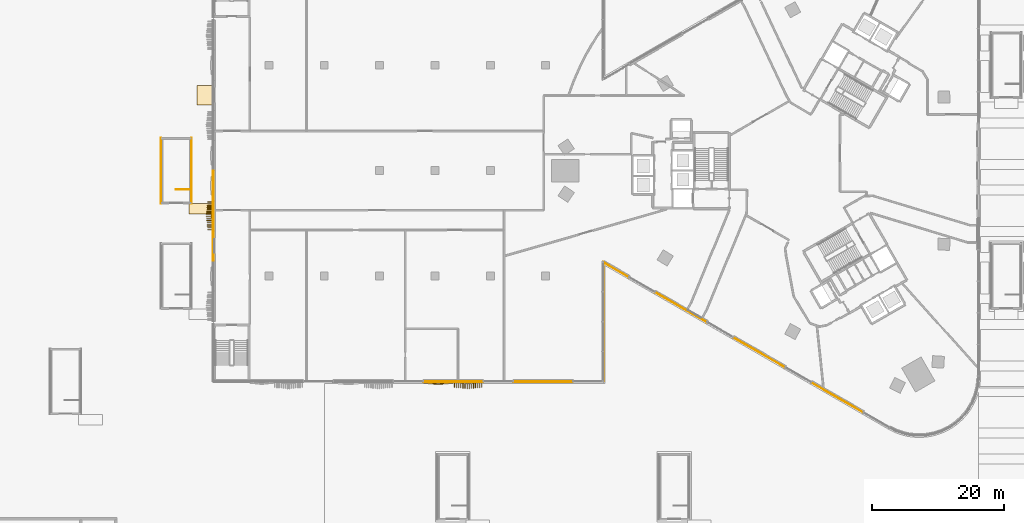
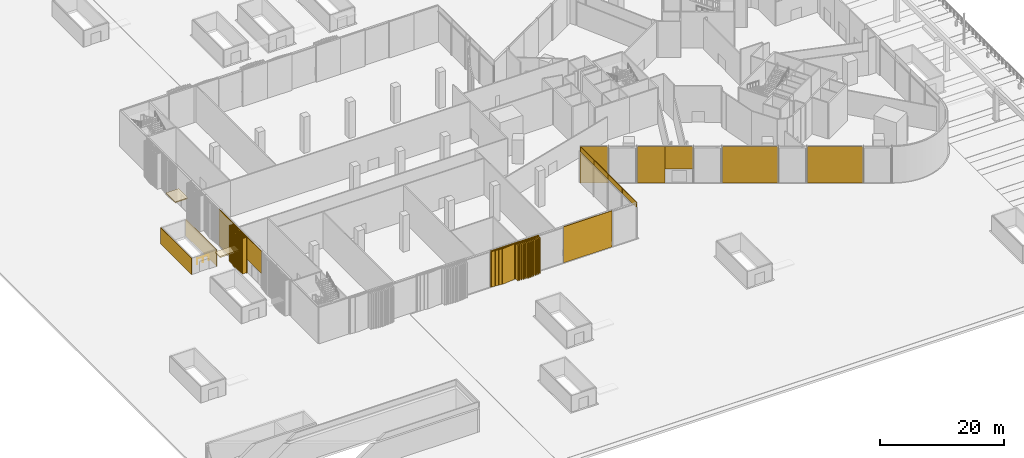
# One storey, part 32 of 41: 20 coverings, 1 railing.
"""IFC4 building model written with IfcOpenShell, lengths in metres."""

from ifc_helpers import new_model, si_unit, direction, frame, frame_2d, origin, origin_2d, place, context, subcontext, project, spatial, polyline, rectangle, circle, outline, extrude, source, transform, mapped, material, layer, layer_set, type_object, element, save


model = new_model("IFC4")

# Units and contexts
model_context = context("Model", 3, precision=1e-05, world=origin(), true_north=direction((0.0, 1.0)))
body_context = subcontext(model_context, "Body", "Model", "MODEL_VIEW")
ifc_project = project(units=[si_unit("LENGTHUNIT", "METRE"), si_unit("AREAUNIT", "SQUARE_METRE"), si_unit("VOLUMEUNIT", "CUBIC_METRE"), si_unit("PLANEANGLEUNIT", "RADIAN"), si_unit("MASSUNIT", "GRAM", prefix="KILO")], contexts=[model_context])

# Site, building, storey
site_placement = place(None, origin())
site = spatial("IfcSite", under=ifc_project, at=site_placement, CompositionType="ELEMENT")
building_placement = place(site_placement, origin())
building = spatial("IfcBuilding", under=site, at=building_placement, Name="Tamra Quay Hotel Tower", CompositionType="ELEMENT")
storey_placement = place(building_placement, origin())
storey = spatial("IfcBuildingStorey", under=building, at=storey_placement, Name="L00", CompositionType="ELEMENT", Elevation=0.0)

# Railing
ifc_material_1 = material(Name="Basement stair guard 1100")
railing_type = type_object("IfcRailingType", Name="Basement stair guard 1100", PredefinedType="GUARDRAIL", material=ifc_material_1)
railing_placement = place(storey_placement, frame((-92.699951171875, -2.85009765625, 0.0)))
element("IfcRailing", 1, at=railing_placement, inside=storey, type_object=railing_type, Name="BSG", PredefinedType="GUARDRAIL", context=body_context, shape_type="SweptSolid", body=[
    extrude(circle(Radius=0.02392578125, at=origin_2d()), frame((0.0, 0.0, 1.076171875), z_axis=(-1.0, 0.0, 0.0), x_axis=(0.0, -1.0, 0.0)), (0.0, 0.0, 1.0), 2.150146484375),
    extrude(circle(Radius=0.02099609375, at=origin_2d()), origin(), (0.0, 0.0, 1.0), 1.052001953125),
    extrude(circle(Radius=0.02099609375, at=origin_2d()), frame((-1.0751953125, 0.0, 0.0)), (0.0, 0.0, 1.0), 1.052001953125),
    extrude(circle(Radius=0.02099609375, at=origin_2d()), frame((-2.150146484375, 0.0, 0.0)), (0.0, 0.0, 1.0), 1.052001953125),
])

# Coverings
ifc_material_2 = material(Name="Galvanised steel and glass canopy", Category="steel")
ifc_layer_1 = layer(ifc_material_2, 0.199951171875)
ifc_layer_set_1 = layer_set([ifc_layer_1], Name="COURT CANOPY SHEET 200")
covering_type_1 = type_object("IfcCoveringType", Name="COURT CANOPY SHEET 200", PredefinedType="ROOFING", material=ifc_layer_set_1)
covering_1_placement = place(storey_placement, frame((-90.39990234375, 11.428466796875, 3.10009765625), z_axis=(0.0, 0.0, 1.0), x_axis=(0.0, -1.0, 0.0)))
element("IfcCovering", 2, at=covering_1_placement, inside=storey, type_object=covering_type_1, Name="West court canopy", PredefinedType="ROOFING", context=body_context, shape_type="SweptSolid", body=[
    extrude(rectangle(XDim=3.0, YDim=2.39990234375, at=origin_2d()), origin(), (0.0, 0.0, 1.0), 0.199951171875),
])
ifc_material_3 = material(Name="Reinforced concrete M60 with waterproofing membrane", Category="concrete")
ifc_layer_2 = layer(ifc_material_3, 0.25)
ifc_layer_set_2 = layer_set([ifc_layer_2], Name="PAVILION CANOPY SHEET 250")
covering_type_2 = type_object("IfcCoveringType", Name="PAVILION CANOPY SHEET 250", PredefinedType="ROOFING", material=ifc_layer_set_2)
covering_2_placement = place(storey_placement, frame((0.0, 0.0, 2.75)))
element("IfcCovering", 3, at=covering_2_placement, inside=storey, type_object=covering_type_2, Name="Stair pavilion BS4 door canopy", PredefinedType="ROOFING", context=body_context, shape_type="SweptSolid", body=[
    extrude(outline(polyline([(-92.800048828125, -5.0), (-89.199951171875, -5.0), (-89.199951171875, -6.60009765625), (-92.800048828125, -6.60009765625), (-92.800048828125, -5.0)])), origin(), (0.0, 0.0, 1.0), 0.25),
])
ifc_material_4 = material(Name="Precast concrete M60 terracotta-coloured pierced relief", Category="masonry")
ifc_layer_3 = layer(ifc_material_4, 0.10009765625)
ifc_layer_set_3 = layer_set([ifc_layer_3], Name="PIERCED RELIEF PANEL 100")
covering_type_3 = type_object("IfcCoveringType", Name="PIERCED RELIEF PANEL 100", PredefinedType="CLADDING", material=ifc_layer_set_3)
for number, where, z_axis, x_axis, name in (
    (4, (-29.949951171875, -29.73193359375, 6.10009765625), (0.0, 0.0, 1.0), (0.0, 1.0, 0.0), "Relief panel L00.E.00"),
    (5, (-29.949951171875, -25.196044921875, 6.10009765625), (0.0, 0.0, 1.0), (0.0, 1.0, 0.0), "Relief panel L00.E.01"),
    (6, (-29.949951171875, -20.66015625, 6.10009765625), (0.0, 0.0, 1.0), (0.0, 1.0, 0.0), "Relief panel L00.E.02"),
    (7, (-29.949951171875, -16.124267578125, 6.10009765625), (0.0, 0.0, 1.0), (0.0, 1.0, 0.0), "Relief panel L00.E.03"),
):
    element("IfcCovering", number, at=place(storey_placement, frame(where, z_axis=z_axis, x_axis=x_axis)), inside=storey, type_object=covering_type_3, Name=name, PredefinedType="CLADDING", context=body_context, shape_type="SweptSolid", body=[
        extrude(rectangle(XDim=4.515869140625, YDim=0.10009765625, at=origin_2d()), origin(), (0.0, 0.0, 1.0), 1.0),
    ])
for number, where, z_axis, x_axis, name in (
    (8, (-28.047607421875, -15.041259765625, 0.0), (0.0, 0.0, 1.0), (0.866025403784, -0.5, 0.0), "Relief panel L00.SW.00"),
    (9, (-20.138671875, -19.607666015625, 0.0), (0.0, 0.0, 1.0), (0.866025403784, -0.5, 0.0), "Relief panel L00.SW.02"),
):
    element("IfcCovering", number, at=place(storey_placement, frame(where, z_axis=z_axis, x_axis=x_axis)), inside=storey, type_object=covering_type_3, Name=name, PredefinedType="CLADDING", context=body_context, shape_type="SweptSolid", body=[
        extrude(rectangle(XDim=4.54638671875, YDim=0.10009765625, at=origin_2d()), origin(), (0.0, 0.0, 1.0), 7.10009765625),
    ])
covering_3_placement = place(storey_placement, frame((-16.18408203125, -21.890869140625, 2.699951171875), z_axis=(0.0, 0.0, 1.0), x_axis=(0.866025403784, -0.5, 0.0)))
element("IfcCovering", 10, at=covering_3_placement, inside=storey, type_object=covering_type_3, Name="Relief panel L00.SW.03", PredefinedType="CLADDING", context=body_context, shape_type="SweptSolid", body=[
    extrude(rectangle(XDim=4.54638671875, YDim=0.10009765625, at=origin_2d()), origin(), (0.0, 0.0, 1.0), 4.39990234375),
])
for number, where, z_axis, x_axis, name in (
    (11, (-6.297607421875, -27.5986328125, 0.0), (0.0, 0.0, 1.0), (0.866025403784, -0.5, 0.0), "Relief panel L00.SW.05"),
    (12, (5.56591796875, -34.4482421875, 0.0), (0.0, 0.0, 1.0), (0.866025403784, -0.5, 0.0), "Relief panel L00.SW.08"),
):
    element("IfcCovering", number, at=place(storey_placement, frame(where, z_axis=z_axis, x_axis=x_axis)), inside=storey, type_object=covering_type_3, Name=name, PredefinedType="CLADDING", context=body_context, shape_type="SweptSolid", body=[
        extrude(rectangle(XDim=9.112548828125, YDim=0.10009765625, at=origin_2d()), origin(), (0.0, 0.0, 1.0), 7.10009765625),
    ])
covering_4_placement = place(storey_placement, frame((-89.14990234375, -4.571533203125, 0.0), z_axis=(0.0, 0.0, 1.0), x_axis=(0.0, -1.0, 0.0)))
element("IfcCovering", 13, at=covering_4_placement, inside=storey, type_object=covering_type_3, Name="Relief panel L00.W.05", PredefinedType="CLADDING", context=body_context, shape_type="SweptSolid", body=[
    extrude(rectangle(XDim=9.122802734375, YDim=0.10009765625, at=origin_2d()), origin(), (0.0, 0.0, 1.0), 7.10009765625),
])
covering_5_placement = place(storey_placement, frame((-89.14990234375, -11.428466796875, 2.699951171875), z_axis=(0.0, 0.0, 1.0), x_axis=(0.0, -1.0, 0.0)))
element("IfcCovering", 14, at=covering_5_placement, inside=storey, type_object=covering_type_3, Name="Relief panel L00.W.07", PredefinedType="CLADDING", context=body_context, shape_type="SweptSolid", body=[
    extrude(rectangle(XDim=4.551513671875, YDim=0.10009765625, at=origin_2d()), origin(), (0.0, 0.0, 1.0), 4.39990234375),
])
for number, where, z_axis, x_axis, name in (
    (15, (-52.730712890625, -32.050048828125, 0.0), (0.0, 0.0, 1.0), (1.0, 0.0, 0.0), "Relief panel L00.SW.17"),
    (16, (-39.09228515625, -32.050048828125, 0.0), (0.0, 0.0, 1.0), (1.0, 0.0, 0.0), "Relief panel L00.SW.20"),
):
    element("IfcCovering", number, at=place(storey_placement, frame(where, z_axis=z_axis, x_axis=x_axis)), inside=storey, type_object=covering_type_3, Name=name, PredefinedType="CLADDING", context=body_context, shape_type="SweptSolid", body=[
        extrude(rectangle(XDim=9.072265625, YDim=0.10009765625, at=origin_2d()), origin(), (0.0, 0.0, 1.0), 7.10009765625),
    ])
for number, where, z_axis, x_axis, name in (
    (17, (-97.10009765625, 0.0, 0.0), (0.0, 0.0, 1.0), (0.0, -1.0, 0.0), "Relief panel BS4.W"),
    (18, (-92.449951171875, 0.0, 0.0), (0.0, 0.0, 1.0), (0.0, 1.0, 0.0), "Relief panel BS4.E"),
):
    element("IfcCovering", number, at=place(storey_placement, frame(where, z_axis=z_axis, x_axis=x_axis)), inside=storey, type_object=covering_type_3, Name=name, PredefinedType="CLADDING", context=body_context, shape_type="SweptSolid", body=[
        extrude(rectangle(XDim=9.97998046875, YDim=0.10009765625, at=origin_2d()), origin(), (0.0, 0.0, 1.0), 3.199951171875),
    ])
ifc_material_5 = material(Name="Terracotta baguette extruded", Category="masonry")
covering_type_4 = type_object("IfcCoveringType", Name="BAGUETTE SCREEN SW-DEEP H7100", PredefinedType="USERDEFINED", material=ifc_material_5)
shared_shape_1 = source(origin(), body_context, "Body", "SweptSolid", [
    extrude(rectangle(XDim=2.244873046875, YDim=0.06005859375, at=frame_2d((1.12255859375, 0.030029296875))), frame((-2.23876953125, -0.0576171875, -0.1201171875), z_axis=(0.0, 0.0, 1.0), x_axis=(0.994521895368, -0.104528463268, 0.0)), (0.0, 0.0, 1.0), 0.1201171875),
    extrude(rectangle(XDim=2.244873046875, YDim=0.06005859375, at=frame_2d((1.12255859375, 0.030029296875))), frame((-2.23876953125, -0.0576171875, -7.10009765625), z_axis=(0.0, 0.0, 1.0), x_axis=(0.994521895368, -0.104528463268, 0.0)), (0.0, 0.0, 1.0), 0.1201171875),
    extrude(rectangle(XDim=0.10009765625, YDim=0.780029296875, at=frame_2d((0.050048828125, 0.39013671875))), frame((-2.123046875, -0.82470703125, -7.0400390625)), (0.0, 0.0, 1.0), 6.97998046875),
    extrude(rectangle(XDim=0.10009765625, YDim=0.780029296875, at=frame_2d((0.050048828125, 0.39013671875))), frame((-1.80419921875, -0.8583984375, -7.0400390625)), (0.0, 0.0, 1.0), 6.97998046875),
    extrude(rectangle(XDim=0.10009765625, YDim=0.780029296875, at=frame_2d((0.050048828125, 0.39013671875))), frame((-1.485107421875, -0.891845703125, -7.0400390625)), (0.0, 0.0, 1.0), 6.97998046875),
    extrude(rectangle(XDim=0.10009765625, YDim=0.780029296875, at=frame_2d((0.050048828125, 0.39013671875))), frame((-1.166259765625, -0.92529296875, -7.0400390625)), (0.0, 0.0, 1.0), 6.97998046875),
    extrude(rectangle(XDim=0.10009765625, YDim=0.780029296875, at=frame_2d((0.050048828125, 0.39013671875))), frame((-0.847412109375, -0.958740234375, -7.0400390625)), (0.0, 0.0, 1.0), 6.97998046875),
    extrude(rectangle(XDim=0.10009765625, YDim=0.780029296875, at=frame_2d((0.050048828125, 0.39013671875))), frame((-0.5283203125, -0.992431640625, -7.0400390625)), (0.0, 0.0, 1.0), 6.97998046875),
    extrude(rectangle(XDim=0.10009765625, YDim=0.780029296875, at=frame_2d((0.050048828125, 0.39013671875))), frame((-0.20947265625, -1.02587890625, -7.0400390625)), (0.0, 0.0, 1.0), 6.97998046875),
    extrude(rectangle(XDim=2.244873046875, YDim=0.06005859375, at=frame_2d((1.12255859375, 0.030029296875))), frame((0.00634765625, -0.292236328125, -0.1201171875), z_axis=(0.0, 0.0, 1.0), x_axis=(0.994521895368, 0.104528463268, 0.0)), (0.0, 0.0, 1.0), 0.1201171875),
    extrude(rectangle(XDim=2.244873046875, YDim=0.06005859375, at=frame_2d((1.12255859375, 0.030029296875))), frame((0.00634765625, -0.292236328125, -7.10009765625), z_axis=(0.0, 0.0, 1.0), x_axis=(0.994521895368, 0.104528463268, 0.0)), (0.0, 0.0, 1.0), 0.1201171875),
    extrude(rectangle(XDim=0.10009765625, YDim=0.780029296875, at=frame_2d((0.050048828125, 0.39013671875))), frame((0.109375, -1.02587890625, -7.0400390625)), (0.0, 0.0, 1.0), 6.97998046875),
    extrude(rectangle(XDim=0.10009765625, YDim=0.780029296875, at=frame_2d((0.050048828125, 0.39013671875))), frame((0.428466796875, -0.992431640625, -7.0400390625)), (0.0, 0.0, 1.0), 6.97998046875),
    extrude(rectangle(XDim=0.10009765625, YDim=0.780029296875, at=frame_2d((0.050048828125, 0.39013671875))), frame((0.747314453125, -0.958740234375, -7.0400390625)), (0.0, 0.0, 1.0), 6.97998046875),
    extrude(rectangle(XDim=0.10009765625, YDim=0.780029296875, at=frame_2d((0.050048828125, 0.39013671875))), frame((1.066162109375, -0.92529296875, -7.0400390625)), (0.0, 0.0, 1.0), 6.97998046875),
    extrude(rectangle(XDim=0.10009765625, YDim=0.780029296875, at=frame_2d((0.050048828125, 0.39013671875))), frame((1.38525390625, -0.891845703125, -7.0400390625)), (0.0, 0.0, 1.0), 6.97998046875),
    extrude(rectangle(XDim=0.10009765625, YDim=0.780029296875, at=frame_2d((0.050048828125, 0.39013671875))), frame((1.7041015625, -0.8583984375, -7.0400390625)), (0.0, 0.0, 1.0), 6.97998046875),
    extrude(rectangle(XDim=0.10009765625, YDim=0.780029296875, at=frame_2d((0.050048828125, 0.39013671875))), frame((2.02294921875, -0.82470703125, -7.0400390625)), (0.0, 0.0, 1.0), 6.97998046875),
])
covering_6_placement = place(storey_placement, frame((-50.457763671875, -32.10009765625, 7.10009765625), z_axis=(0.0, 0.0, 1.0), x_axis=(1.0, 0.0, 0.0)))
element("IfcCovering", 19, at=covering_6_placement, inside=storey, type_object=covering_type_4, Name="Baguette screen wing.L00.SW.18", ObjectType="BAGUETTE SCREEN", PredefinedType="USERDEFINED", context=body_context, shape_type="MappedRepresentation", body=[
    mapped(shared_shape_1, transform((0.0, 0.0, 0.0), scale=1.0)),
])
covering_type_5 = type_object("IfcCoveringType", Name="BAGUETTE SCREEN SW-SHALLOW H7100", PredefinedType="USERDEFINED", material=ifc_material_5)
shared_shape_2 = source(origin(), body_context, "Body", "SweptSolid", [
    extrude(rectangle(XDim=2.244873046875, YDim=0.06005859375, at=frame_2d((1.12255859375, 0.030029296875))), frame((-2.23876953125, -0.0576171875, -0.1201171875), z_axis=(0.0, 0.0, 1.0), x_axis=(0.994521895368, -0.104528463268, 0.0)), (0.0, 0.0, 1.0), 0.1201171875),
    extrude(rectangle(XDim=2.244873046875, YDim=0.06005859375, at=frame_2d((1.12255859375, 0.030029296875))), frame((-2.23876953125, -0.0576171875, -7.10009765625), z_axis=(0.0, 0.0, 1.0), x_axis=(0.994521895368, -0.104528463268, 0.0)), (0.0, 0.0, 1.0), 0.1201171875),
    extrude(rectangle(XDim=0.094970703125, YDim=0.10009765625, at=frame_2d((0.04736328125, 0.050048828125))), frame((-2.229248046875, -0.13330078125, -7.0400390625)), (0.0, 0.0, 1.0), 6.97998046875),
    extrude(rectangle(XDim=0.094970703125, YDim=0.10009765625, at=frame_2d((0.04736328125, 0.050048828125))), frame((-2.127685546875, -0.14404296875, -7.0400390625)), (0.0, 0.0, 1.0), 6.97998046875),
    extrude(rectangle(XDim=0.094970703125, YDim=0.10009765625, at=frame_2d((0.04736328125, 0.050048828125))), frame((-2.0263671875, -0.154541015625, -7.0400390625)), (0.0, 0.0, 1.0), 6.97998046875),
    extrude(rectangle(XDim=0.094970703125, YDim=0.10009765625, at=frame_2d((0.04736328125, 0.050048828125))), frame((-1.9248046875, -0.165283203125, -7.0400390625)), (0.0, 0.0, 1.0), 6.97998046875),
    extrude(rectangle(XDim=0.094970703125, YDim=0.10009765625, at=frame_2d((0.04736328125, 0.050048828125))), frame((-1.8232421875, -0.176025390625, -7.0400390625)), (0.0, 0.0, 1.0), 6.97998046875),
    extrude(rectangle(XDim=0.094970703125, YDim=0.10009765625, at=frame_2d((0.04736328125, 0.050048828125))), frame((-1.721923828125, -0.186767578125, -7.0400390625)), (0.0, 0.0, 1.0), 6.97998046875),
    extrude(rectangle(XDim=0.094970703125, YDim=0.10009765625, at=frame_2d((0.04736328125, 0.050048828125))), frame((-1.620361328125, -0.197265625, -7.0400390625)), (0.0, 0.0, 1.0), 6.97998046875),
    extrude(rectangle(XDim=0.094970703125, YDim=0.10009765625, at=frame_2d((0.04736328125, 0.050048828125))), frame((-1.518798828125, -0.2080078125, -7.0400390625)), (0.0, 0.0, 1.0), 6.97998046875),
    extrude(rectangle(XDim=0.094970703125, YDim=0.10009765625, at=frame_2d((0.04736328125, 0.050048828125))), frame((-1.41748046875, -0.21875, -7.0400390625)), (0.0, 0.0, 1.0), 6.97998046875),
    extrude(rectangle(XDim=0.094970703125, YDim=0.10009765625, at=frame_2d((0.04736328125, 0.050048828125))), frame((-1.31591796875, -0.229248046875, -7.0400390625)), (0.0, 0.0, 1.0), 6.97998046875),
    extrude(rectangle(XDim=0.094970703125, YDim=0.10009765625, at=frame_2d((0.04736328125, 0.050048828125))), frame((-1.214599609375, -0.239990234375, -7.0400390625)), (0.0, 0.0, 1.0), 6.97998046875),
    extrude(rectangle(XDim=0.094970703125, YDim=0.10009765625, at=frame_2d((0.04736328125, 0.050048828125))), frame((-1.113037109375, -0.250732421875, -7.0400390625)), (0.0, 0.0, 1.0), 6.97998046875),
    extrude(rectangle(XDim=0.094970703125, YDim=0.10009765625, at=frame_2d((0.04736328125, 0.050048828125))), frame((-1.011474609375, -0.26123046875, -7.0400390625)), (0.0, 0.0, 1.0), 6.97998046875),
    extrude(rectangle(XDim=0.094970703125, YDim=0.10009765625, at=frame_2d((0.04736328125, 0.050048828125))), frame((-0.91015625, -0.27197265625, -7.0400390625)), (0.0, 0.0, 1.0), 6.97998046875),
    extrude(rectangle(XDim=0.094970703125, YDim=0.10009765625, at=frame_2d((0.04736328125, 0.050048828125))), frame((-0.80859375, -0.28271484375, -7.0400390625)), (0.0, 0.0, 1.0), 6.97998046875),
    extrude(rectangle(XDim=0.094970703125, YDim=0.10009765625, at=frame_2d((0.04736328125, 0.050048828125))), frame((-0.70703125, -0.293212890625, -7.0400390625)), (0.0, 0.0, 1.0), 6.97998046875),
    extrude(rectangle(XDim=0.094970703125, YDim=0.10009765625, at=frame_2d((0.04736328125, 0.050048828125))), frame((-0.605712890625, -0.303955078125, -7.0400390625)), (0.0, 0.0, 1.0), 6.97998046875),
    extrude(rectangle(XDim=0.094970703125, YDim=0.10009765625, at=frame_2d((0.04736328125, 0.050048828125))), frame((-0.504150390625, -0.314697265625, -7.0400390625)), (0.0, 0.0, 1.0), 6.97998046875),
    extrude(rectangle(XDim=0.094970703125, YDim=0.10009765625, at=frame_2d((0.04736328125, 0.050048828125))), frame((-0.402587890625, -0.325439453125, -7.0400390625)), (0.0, 0.0, 1.0), 6.97998046875),
    extrude(rectangle(XDim=0.094970703125, YDim=0.10009765625, at=frame_2d((0.04736328125, 0.050048828125))), frame((-0.30126953125, -0.3359375, -7.0400390625)), (0.0, 0.0, 1.0), 6.97998046875),
    extrude(rectangle(XDim=0.094970703125, YDim=0.10009765625, at=frame_2d((0.04736328125, 0.050048828125))), frame((-0.19970703125, -0.3466796875, -7.0400390625)), (0.0, 0.0, 1.0), 6.97998046875),
    extrude(rectangle(XDim=0.094970703125, YDim=0.10009765625, at=frame_2d((0.04736328125, 0.050048828125))), frame((-0.09814453125, -0.357421875, -7.0400390625)), (0.0, 0.0, 1.0), 6.97998046875),
    extrude(rectangle(XDim=2.244873046875, YDim=0.06005859375, at=frame_2d((1.12255859375, 0.030029296875))), frame((0.00634765625, -0.292236328125, -0.1201171875), z_axis=(0.0, 0.0, 1.0), x_axis=(0.994521895368, 0.104528463268, 0.0)), (0.0, 0.0, 1.0), 0.1201171875),
    extrude(rectangle(XDim=2.244873046875, YDim=0.06005859375, at=frame_2d((1.12255859375, 0.030029296875))), frame((0.00634765625, -0.292236328125, -7.10009765625), z_axis=(0.0, 0.0, 1.0), x_axis=(0.994521895368, 0.104528463268, 0.0)), (0.0, 0.0, 1.0), 0.1201171875),
    extrude(rectangle(XDim=0.094970703125, YDim=0.10009765625, at=frame_2d((0.04736328125, 0.050048828125))), frame((0.003173828125, -0.357421875, -7.0400390625)), (0.0, 0.0, 1.0), 6.97998046875),
    extrude(rectangle(XDim=0.094970703125, YDim=0.10009765625, at=frame_2d((0.04736328125, 0.050048828125))), frame((0.104736328125, -0.3466796875, -7.0400390625)), (0.0, 0.0, 1.0), 6.97998046875),
    extrude(rectangle(XDim=0.094970703125, YDim=0.10009765625, at=frame_2d((0.04736328125, 0.050048828125))), frame((0.206298828125, -0.3359375, -7.0400390625)), (0.0, 0.0, 1.0), 6.97998046875),
    extrude(rectangle(XDim=0.094970703125, YDim=0.10009765625, at=frame_2d((0.04736328125, 0.050048828125))), frame((0.3076171875, -0.325439453125, -7.0400390625)), (0.0, 0.0, 1.0), 6.97998046875),
    extrude(rectangle(XDim=0.094970703125, YDim=0.10009765625, at=frame_2d((0.04736328125, 0.050048828125))), frame((0.4091796875, -0.314697265625, -7.0400390625)), (0.0, 0.0, 1.0), 6.97998046875),
    extrude(rectangle(XDim=0.094970703125, YDim=0.10009765625, at=frame_2d((0.04736328125, 0.050048828125))), frame((0.510498046875, -0.303955078125, -7.0400390625)), (0.0, 0.0, 1.0), 6.97998046875),
    extrude(rectangle(XDim=0.094970703125, YDim=0.10009765625, at=frame_2d((0.04736328125, 0.050048828125))), frame((0.612060546875, -0.293212890625, -7.0400390625)), (0.0, 0.0, 1.0), 6.97998046875),
    extrude(rectangle(XDim=0.094970703125, YDim=0.10009765625, at=frame_2d((0.04736328125, 0.050048828125))), frame((0.713623046875, -0.28271484375, -7.0400390625)), (0.0, 0.0, 1.0), 6.97998046875),
    extrude(rectangle(XDim=0.094970703125, YDim=0.10009765625, at=frame_2d((0.04736328125, 0.050048828125))), frame((0.81494140625, -0.27197265625, -7.0400390625)), (0.0, 0.0, 1.0), 6.97998046875),
    extrude(rectangle(XDim=0.094970703125, YDim=0.10009765625, at=frame_2d((0.04736328125, 0.050048828125))), frame((0.91650390625, -0.26123046875, -7.0400390625)), (0.0, 0.0, 1.0), 6.97998046875),
    extrude(rectangle(XDim=0.094970703125, YDim=0.10009765625, at=frame_2d((0.04736328125, 0.050048828125))), frame((1.01806640625, -0.250732421875, -7.0400390625)), (0.0, 0.0, 1.0), 6.97998046875),
    extrude(rectangle(XDim=0.094970703125, YDim=0.10009765625, at=frame_2d((0.04736328125, 0.050048828125))), frame((1.119384765625, -0.239990234375, -7.0400390625)), (0.0, 0.0, 1.0), 6.97998046875),
    extrude(rectangle(XDim=0.094970703125, YDim=0.10009765625, at=frame_2d((0.04736328125, 0.050048828125))), frame((1.220947265625, -0.229248046875, -7.0400390625)), (0.0, 0.0, 1.0), 6.97998046875),
    extrude(rectangle(XDim=0.094970703125, YDim=0.10009765625, at=frame_2d((0.04736328125, 0.050048828125))), frame((1.322509765625, -0.21875, -7.0400390625)), (0.0, 0.0, 1.0), 6.97998046875),
    extrude(rectangle(XDim=0.094970703125, YDim=0.10009765625, at=frame_2d((0.04736328125, 0.050048828125))), frame((1.423828125, -0.2080078125, -7.0400390625)), (0.0, 0.0, 1.0), 6.97998046875),
    extrude(rectangle(XDim=0.094970703125, YDim=0.10009765625, at=frame_2d((0.04736328125, 0.050048828125))), frame((1.525390625, -0.197265625, -7.0400390625)), (0.0, 0.0, 1.0), 6.97998046875),
    extrude(rectangle(XDim=0.094970703125, YDim=0.10009765625, at=frame_2d((0.04736328125, 0.050048828125))), frame((1.626953125, -0.186767578125, -7.0400390625)), (0.0, 0.0, 1.0), 6.97998046875),
    extrude(rectangle(XDim=0.094970703125, YDim=0.10009765625, at=frame_2d((0.04736328125, 0.050048828125))), frame((1.728271484375, -0.176025390625, -7.0400390625)), (0.0, 0.0, 1.0), 6.97998046875),
    extrude(rectangle(XDim=0.094970703125, YDim=0.10009765625, at=frame_2d((0.04736328125, 0.050048828125))), frame((1.829833984375, -0.165283203125, -7.0400390625)), (0.0, 0.0, 1.0), 6.97998046875),
    extrude(rectangle(XDim=0.094970703125, YDim=0.10009765625, at=frame_2d((0.04736328125, 0.050048828125))), frame((1.931396484375, -0.154541015625, -7.0400390625)), (0.0, 0.0, 1.0), 6.97998046875),
    extrude(rectangle(XDim=0.094970703125, YDim=0.10009765625, at=frame_2d((0.04736328125, 0.050048828125))), frame((2.03271484375, -0.14404296875, -7.0400390625)), (0.0, 0.0, 1.0), 6.97998046875),
    extrude(rectangle(XDim=0.094970703125, YDim=0.10009765625, at=frame_2d((0.04736328125, 0.050048828125))), frame((2.13427734375, -0.13330078125, -7.0400390625)), (0.0, 0.0, 1.0), 6.97998046875),
])
covering_7_placement = place(storey_placement, frame((-55.00390625, -32.10009765625, 7.10009765625), z_axis=(0.0, 0.0, 1.0), x_axis=(1.0, 0.0, 0.0)))
element("IfcCovering", 20, at=covering_7_placement, inside=storey, type_object=covering_type_5, Name="Baguette screen wing.L00.SW.17", ObjectType="BAGUETTE SCREEN", PredefinedType="USERDEFINED", context=body_context, shape_type="MappedRepresentation", body=[
    mapped(shared_shape_2, transform((0.0, 0.0, 0.0), scale=1.0)),
])
shared_shape_3 = source(origin(), body_context, "Body", "SweptSolid", [
    extrude(rectangle(XDim=2.2548828125, YDim=0.06005859375, at=frame_2d((1.12744140625, 0.030029296875))), frame((-2.248779296875, -0.0576171875, -0.1201171875), z_axis=(0.0, 0.0, 1.0), x_axis=(0.994521895368, -0.104528463268, 0.0)), (0.0, 0.0, 1.0), 0.1201171875),
    extrude(rectangle(XDim=2.2548828125, YDim=0.06005859375, at=frame_2d((1.12744140625, 0.030029296875))), frame((-2.248779296875, -0.0576171875, -7.10009765625), z_axis=(0.0, 0.0, 1.0), x_axis=(0.994521895368, -0.104528463268, 0.0)), (0.0, 0.0, 1.0), 0.1201171875),
    extrude(rectangle(XDim=0.10009765625, YDim=0.780029296875, at=frame_2d((0.050048828125, 0.39013671875))), frame((-2.15234375, -0.82275390625, -7.0400390625)), (0.0, 0.0, 1.0), 6.97998046875),
    extrude(rectangle(XDim=0.10009765625, YDim=0.780029296875, at=frame_2d((0.050048828125, 0.39013671875))), frame((-1.8720703125, -0.852294921875, -7.0400390625)), (0.0, 0.0, 1.0), 6.97998046875),
    extrude(rectangle(XDim=0.10009765625, YDim=0.780029296875, at=frame_2d((0.050048828125, 0.39013671875))), frame((-1.591796875, -0.881591796875, -7.0400390625)), (0.0, 0.0, 1.0), 6.97998046875),
    extrude(rectangle(XDim=0.10009765625, YDim=0.780029296875, at=frame_2d((0.050048828125, 0.39013671875))), frame((-1.3115234375, -0.9111328125, -7.0400390625)), (0.0, 0.0, 1.0), 6.97998046875),
    extrude(rectangle(XDim=0.10009765625, YDim=0.780029296875, at=frame_2d((0.050048828125, 0.39013671875))), frame((-1.031005859375, -0.940673828125, -7.0400390625)), (0.0, 0.0, 1.0), 6.97998046875),
    extrude(rectangle(XDim=0.10009765625, YDim=0.780029296875, at=frame_2d((0.050048828125, 0.39013671875))), frame((-0.750732421875, -0.969970703125, -7.0400390625)), (0.0, 0.0, 1.0), 6.97998046875),
    extrude(rectangle(XDim=0.10009765625, YDim=0.780029296875, at=frame_2d((0.050048828125, 0.39013671875))), frame((-0.470458984375, -0.99951171875, -7.0400390625)), (0.0, 0.0, 1.0), 6.97998046875),
    extrude(rectangle(XDim=0.10009765625, YDim=0.780029296875, at=frame_2d((0.050048828125, 0.39013671875))), frame((-0.190185546875, -1.029052734375, -7.0400390625)), (0.0, 0.0, 1.0), 6.97998046875),
    extrude(rectangle(XDim=2.2548828125, YDim=0.06005859375, at=frame_2d((1.12744140625, 0.030029296875))), frame((0.00634765625, -0.29345703125, -0.1201171875), z_axis=(0.0, 0.0, 1.0), x_axis=(0.994521895368, 0.104528463268, 0.0)), (0.0, 0.0, 1.0), 0.1201171875),
    extrude(rectangle(XDim=2.2548828125, YDim=0.06005859375, at=frame_2d((1.12744140625, 0.030029296875))), frame((0.00634765625, -0.29345703125, -7.10009765625), z_axis=(0.0, 0.0, 1.0), x_axis=(0.994521895368, 0.104528463268, 0.0)), (0.0, 0.0, 1.0), 0.1201171875),
    extrude(rectangle(XDim=0.10009765625, YDim=0.780029296875, at=frame_2d((0.050048828125, 0.39013671875))), frame((0.090087890625, -1.029052734375, -7.0400390625)), (0.0, 0.0, 1.0), 6.97998046875),
    extrude(rectangle(XDim=0.10009765625, YDim=0.780029296875, at=frame_2d((0.050048828125, 0.39013671875))), frame((0.370361328125, -0.99951171875, -7.0400390625)), (0.0, 0.0, 1.0), 6.97998046875),
    extrude(rectangle(XDim=0.10009765625, YDim=0.780029296875, at=frame_2d((0.050048828125, 0.39013671875))), frame((0.65087890625, -0.969970703125, -7.0400390625)), (0.0, 0.0, 1.0), 6.97998046875),
    extrude(rectangle(XDim=0.10009765625, YDim=0.780029296875, at=frame_2d((0.050048828125, 0.39013671875))), frame((0.93115234375, -0.940673828125, -7.0400390625)), (0.0, 0.0, 1.0), 6.97998046875),
    extrude(rectangle(XDim=0.10009765625, YDim=0.780029296875, at=frame_2d((0.050048828125, 0.39013671875))), frame((1.21142578125, -0.9111328125, -7.0400390625)), (0.0, 0.0, 1.0), 6.97998046875),
    extrude(rectangle(XDim=0.10009765625, YDim=0.780029296875, at=frame_2d((0.050048828125, 0.39013671875))), frame((1.49169921875, -0.881591796875, -7.0400390625)), (0.0, 0.0, 1.0), 6.97998046875),
    extrude(rectangle(XDim=0.10009765625, YDim=0.780029296875, at=frame_2d((0.050048828125, 0.39013671875))), frame((1.77197265625, -0.852294921875, -7.0400390625)), (0.0, 0.0, 1.0), 6.97998046875),
    extrude(rectangle(XDim=0.10009765625, YDim=0.780029296875, at=frame_2d((0.050048828125, 0.39013671875))), frame((2.05224609375, -0.82275390625, -7.0400390625)), (0.0, 0.0, 1.0), 6.97998046875),
])
covering_8_placement = place(storey_placement, frame((-89.199951171875, -6.857177734375, 7.10009765625), z_axis=(0.0, 0.0, 1.0), x_axis=(0.0, -1.0, 0.0)))
element("IfcCovering", 21, at=covering_8_placement, inside=storey, type_object=covering_type_4, Name="Baguette screen wing.L00.W.06", ObjectType="BAGUETTE SCREEN", PredefinedType="USERDEFINED", context=body_context, shape_type="MappedRepresentation", body=[
    mapped(shared_shape_3, transform((0.0, 0.0, 0.0), scale=1.0)),
])

save(model, "model.ifc")
